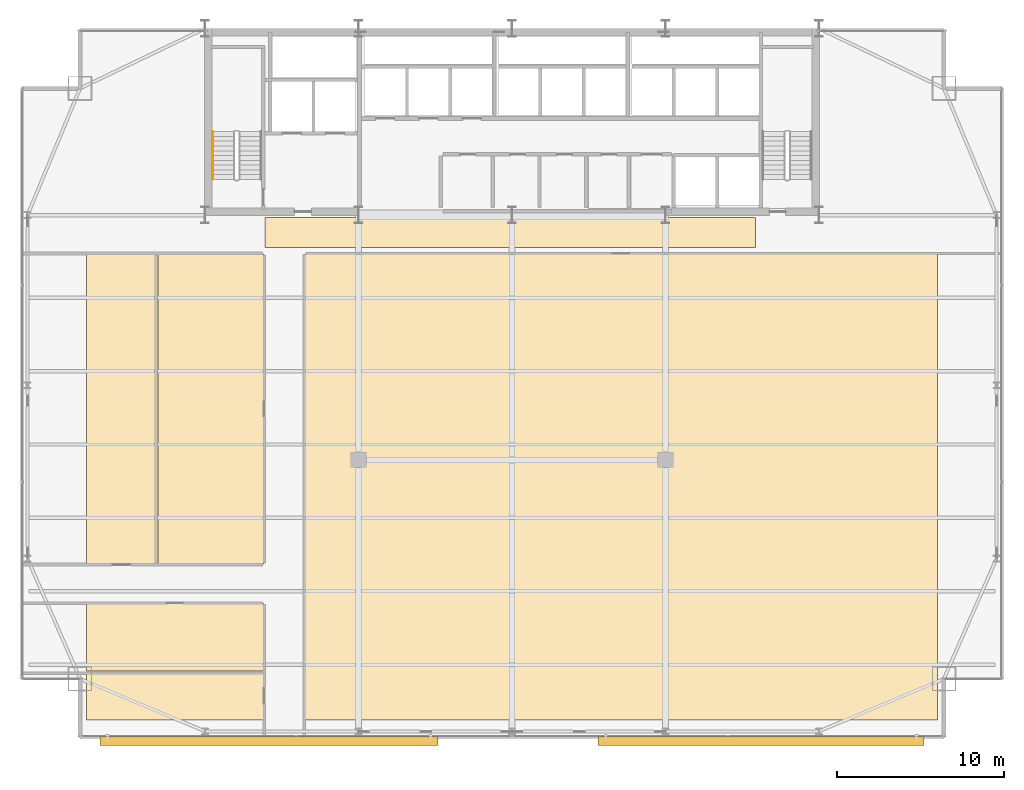
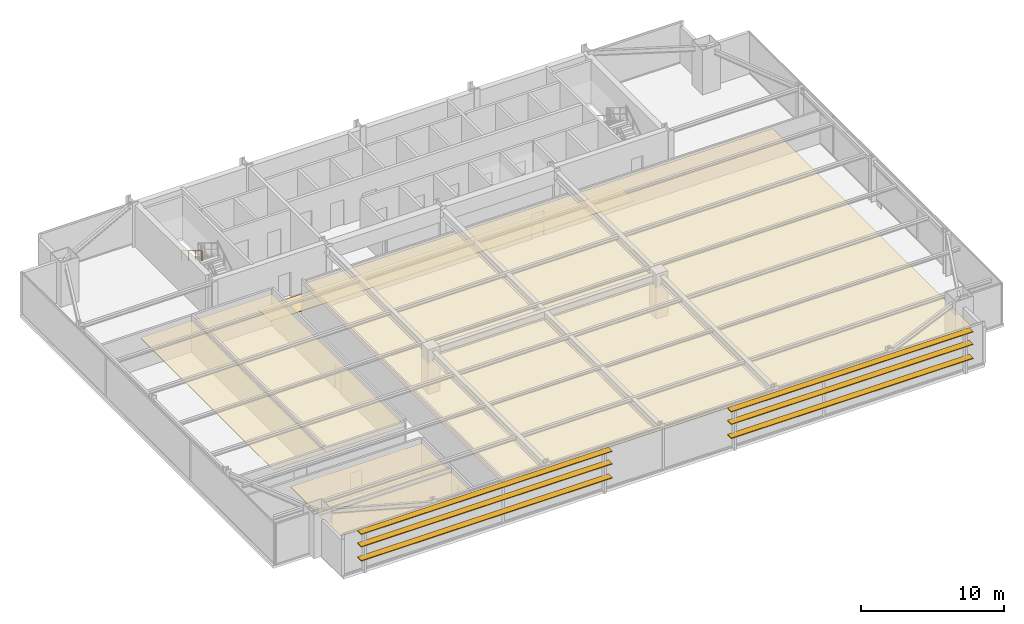
# One storey, part 31 of 32: 6 coverings, 6 shading devices, 1 railing.
"""IFC4 building model written with IfcOpenShell, lengths in metres."""

from ifc_helpers import new_model, si_unit, direction, frame, origin, origin_2d, place, context, subcontext, project, spatial, polyline, rectangle, outline, extrude, source, transform, mapped, material, layer, layer_set, type_object, type_shapes, element, save


model = new_model("IFC4")

# Units and contexts
model_context = context("Model", 3, precision=1e-05, world=origin(), true_north=direction((0.0, 1.0)))
body_context = subcontext(model_context, "Body", "Model", "MODEL_VIEW")
ifc_project = project(units=[si_unit("LENGTHUNIT", "METRE"), si_unit("AREAUNIT", "SQUARE_METRE"), si_unit("VOLUMEUNIT", "CUBIC_METRE"), si_unit("PLANEANGLEUNIT", "RADIAN"), si_unit("MASSUNIT", "GRAM", prefix="KILO")], contexts=[model_context])

# Site, building, storey
site_placement = place(None, origin())
site = spatial("IfcSite", under=ifc_project, at=site_placement, CompositionType="ELEMENT")
building_placement = place(site_placement, origin())
building = spatial("IfcBuilding", under=site, at=building_placement, Name="Varnel Quay Broadcast Tower", CompositionType="ELEMENT")
storey_placement = place(building_placement, frame((0.0, 0.0, 90.800048828125)))
storey = spatial("IfcBuildingStorey", under=building, at=storey_placement, Name="L21", CompositionType="ELEMENT", Elevation=90.800048828125)

# Coverings
ifc_material_1 = material(Name="Micro-Perforated Acoustic Ceiling Tile")
ifc_layer_1 = layer(ifc_material_1, 0.0400390625, Name="Micro-Perforated Acoustic Ceiling Tile")
ifc_layer_set_1 = layer_set([ifc_layer_1], Name="Micro-Perforated Acoustic Ceiling Tile")
covering_type_1 = type_object("IfcCoveringType", Name="Cov_AcousticCeiling", PredefinedType="CEILING", material=ifc_layer_set_1)
covering_1_placement = place(storey_placement, frame((0.0, 0.0, 2.579833984375)))
element("IfcCovering", 1, at=covering_1_placement, inside=storey, type_object=covering_type_1, Name="L21 Broadcast Newsroom 1 Acoustic Ceiling", PredefinedType="CEILING", context=body_context, shape_type="SweptSolid", body=[
    extrude(outline(polyline([(8.485107421875, 5.324951171875), (19.10498046875, 5.324951171875), (19.10498046875, 8.205078125), (8.485107421875, 8.205078125), (8.485107421875, 5.324951171875)])), origin(), (0.0, 0.0, 1.0), 0.0400390625),
])
covering_2_placement = place(storey_placement, frame((0.0, 0.0, 2.579833984375)))
element("IfcCovering", 2, at=covering_2_placement, inside=storey, type_object=covering_type_1, Name="L21 Assignment Desk 2 Acoustic Ceiling", PredefinedType="CEILING", context=body_context, shape_type="SweptSolid", body=[
    extrude(outline(polyline([(8.485107421875, 8.27490234375), (19.10498046875, 8.27490234375), (19.10498046875, 12.304931640625), (8.485107421875, 12.304931640625), (8.485107421875, 8.27490234375)])), origin(), (0.0, 0.0, 1.0), 0.0400390625),
])
covering_3_placement = place(storey_placement, frame((0.0, 0.0, 2.579833984375)))
element("IfcCovering", 3, at=covering_3_placement, inside=storey, type_object=covering_type_1, Name="L21 Editorial Boardroom 3 Acoustic Ceiling", PredefinedType="CEILING", context=body_context, shape_type="SweptSolid", body=[
    extrude(outline(polyline([(8.485107421875, 14.675048828125), (12.715087890625, 14.675048828125), (12.715087890625, 33.264892578125), (8.485107421875, 33.264892578125), (8.485107421875, 14.675048828125)])), origin(), (0.0, 0.0, 1.0), 0.0400390625),
])
covering_4_placement = place(storey_placement, frame((0.0, 0.0, 2.579833984375)))
element("IfcCovering", 4, at=covering_4_placement, inside=storey, type_object=covering_type_1, Name="L21 Break Kitchen 4 Acoustic Ceiling", PredefinedType="CEILING", context=body_context, shape_type="SweptSolid", body=[
    extrude(outline(polyline([(12.784912109375, 14.675048828125), (19.10498046875, 14.675048828125), (19.10498046875, 33.264892578125), (12.784912109375, 33.264892578125), (12.784912109375, 14.675048828125)])), origin(), (0.0, 0.0, 1.0), 0.0400390625),
])
covering_5_placement = place(storey_placement, frame((0.0, 0.0, 2.579833984375)))
element("IfcCovering", 5, at=covering_5_placement, inside=storey, type_object=covering_type_1, Name="L21 Press Green Lounge 5 Acoustic Ceiling", PredefinedType="CEILING", context=body_context, shape_type="SweptSolid", body=[
    extrude(outline(polyline([(21.574951171875, 5.324951171875), (59.514892578125, 5.324951171875), (59.514892578125, 33.264892578125), (21.574951171875, 33.264892578125), (21.574951171875, 5.324951171875)])), origin(), (0.0, 0.0, 1.0), 0.0400390625),
])
ifc_material_2 = material(Name="Polished Terrazzo & Broadcast Raised Flooring")
ifc_layer_2 = layer(ifc_material_2, 0.0400390625, Name="Polished Terrazzo & Broadcast Raised Flooring")
ifc_layer_set_2 = layer_set([ifc_layer_2], Name="Polished Terrazzo & Broadcast Raised Flooring")
covering_type_2 = type_object("IfcCoveringType", Name="Cov_TerrazzoFloor", PredefinedType="FLOORING", material=ifc_layer_set_2)
covering_6_placement = place(storey_placement, origin())
element("IfcCovering", 6, at=covering_6_placement, inside=storey, type_object=covering_type_2, Name="L21 Corridor Terrazzo Flooring", PredefinedType="FLOORING", context=body_context, shape_type="SweptSolid", body=[
    extrude(outline(polyline([(19.199951171875, 33.64990234375), (48.60009765625, 33.64990234375), (48.60009765625, 35.449951171875), (19.199951171875, 35.449951171875), (19.199951171875, 33.64990234375)])), origin(), (0.0, 0.0, 1.0), 0.0400390625),
])

# Railing
ifc_material_3 = material(Name="Painted Steel Guard and Handrail CSA G40.21 350W", Category="steel")
railing_type = type_object("IfcRailingType", Name="Rail_StairHandrail900", PredefinedType="HANDRAIL", material=ifc_material_3)
railing_placement = place(storey_placement, frame((16.050048828125, 40.60009765625, 2.07275390625)))
element("IfcRailing", 7, at=railing_placement, inside=storey, type_object=railing_type, Name="L21 ST-01 stair handrail 2", PredefinedType="HANDRAIL", context=body_context, shape_type="SweptSolid", body=[
    extrude(rectangle(XDim=0.048095703125, YDim=0.048095703125, at=origin_2d()), frame((0.0, 0.0, 0.8759765625), z_axis=(0.0, -0.855202751398, 0.518293598264), x_axis=(1.0, 0.0, 0.0)), (0.0, 0.0, 1.0), 3.332763671875),
    extrude(rectangle(XDim=0.0419921875, YDim=0.0419921875, at=origin_2d()), origin(), (0.0, 0.0, 1.0), 0.851806640625),
    extrude(rectangle(XDim=0.0419921875, YDim=0.0419921875, at=origin_2d()), frame((0.0, -0.949951171875, 0.57568359375)), (0.0, 0.0, 1.0), 0.851806640625),
    extrude(rectangle(XDim=0.0419921875, YDim=0.0419921875, at=origin_2d()), frame((0.0, -1.900146484375, 1.151611328125)), (0.0, 0.0, 1.0), 0.851806640625),
    extrude(rectangle(XDim=0.0419921875, YDim=0.0419921875, at=origin_2d()), frame((0.0, -2.85009765625, 1.727294921875)), (0.0, 0.0, 1.0), 0.851806640625),
])

# Shading devices
ifc_material_4 = material(Name="Bronze-Terracotta Extruded Ceramic Blade", Category="masonry")
ifc_layer_3 = layer(ifc_material_4, 0.06494140625, Name="Bronze-Terracotta Extruded Ceramic Blade")
ifc_layer_set_3 = layer_set([ifc_layer_3], Name="Bronze-Terracotta Extruded Ceramic Blade")
shading_device_type = type_object("IfcShadingDeviceType", Name="Shade_LouvreBlade550", PredefinedType="JALOUSIE", material=ifc_layer_set_3)
shared_shape_1 = source(origin(), body_context, "Body", "SweptSolid", [
    extrude(rectangle(XDim=20.26611328125, YDim=0.550048828125, at=origin_2d()), origin(), (0.0, 0.0, 1.0), 0.06494140625),
])
for number, where, z_axis, x_axis, name in (
    (8, (19.43310546875, 4.06005859375, 1.117431640625), (0.0, 0.0, 1.0), (1.0, 0.0, 0.0), "L21 Lobe 1 Horizontal Louvre Blade 1"),
    (9, (19.43310546875, 4.06005859375, 2.3173828125), (0.0, 0.0, 1.0), (1.0, 0.0, 0.0), "L21 Lobe 1 Horizontal Louvre Blade 2"),
    (10, (19.43310546875, 4.06005859375, 3.387451171875), (0.0, 0.0, 1.0), (1.0, 0.0, 0.0), "L21 Lobe 1 Horizontal Louvre Blade 3"),
):
    element("IfcShadingDevice", number, at=place(storey_placement, frame(where, z_axis=z_axis, x_axis=x_axis)), inside=storey, type_object=shading_device_type, Name=name, PredefinedType="JALOUSIE", context=body_context, shape_type="MappedRepresentation", body=[
        mapped(shared_shape_1, transform((0.0, 0.0, 0.0), x_axis=(1.0, 0.0, 0.0), y_axis=(0.0, 1.0, 0.0), z_axis=(0.0, 0.0, 1.0), scale=1.0)),
    ])
shared_shape_2 = source(origin(), body_context, "Body", "SweptSolid", [
    extrude(rectangle(XDim=19.533935546875, YDim=0.550048828125, at=origin_2d()), origin(), (0.0, 0.0, 1.0), 0.06494140625),
])
type_shapes(shading_device_type, [shared_shape_1, shared_shape_2])
for number, where, z_axis, x_axis, name in (
    (11, (48.93310546875, 4.06005859375, 1.117431640625), (0.0, 0.0, 1.0), (1.0, 0.0, 0.0), "L21 Lobe 2 Horizontal Louvre Blade 1"),
    (12, (48.93310546875, 4.06005859375, 2.3173828125), (0.0, 0.0, 1.0), (1.0, 0.0, 0.0), "L21 Lobe 2 Horizontal Louvre Blade 2"),
    (13, (48.93310546875, 4.06005859375, 3.387451171875), (0.0, 0.0, 1.0), (1.0, 0.0, 0.0), "L21 Lobe 2 Horizontal Louvre Blade 3"),
):
    element("IfcShadingDevice", number, at=place(storey_placement, frame(where, z_axis=z_axis, x_axis=x_axis)), inside=storey, type_object=shading_device_type, Name=name, PredefinedType="JALOUSIE", context=body_context, shape_type="MappedRepresentation", body=[
        mapped(shared_shape_2, transform((0.0, 0.0, 0.0), x_axis=(1.0, 0.0, 0.0), y_axis=(0.0, 1.0, 0.0), z_axis=(0.0, 0.0, 1.0), scale=1.0)),
    ])

save(model, "model.ifc")
